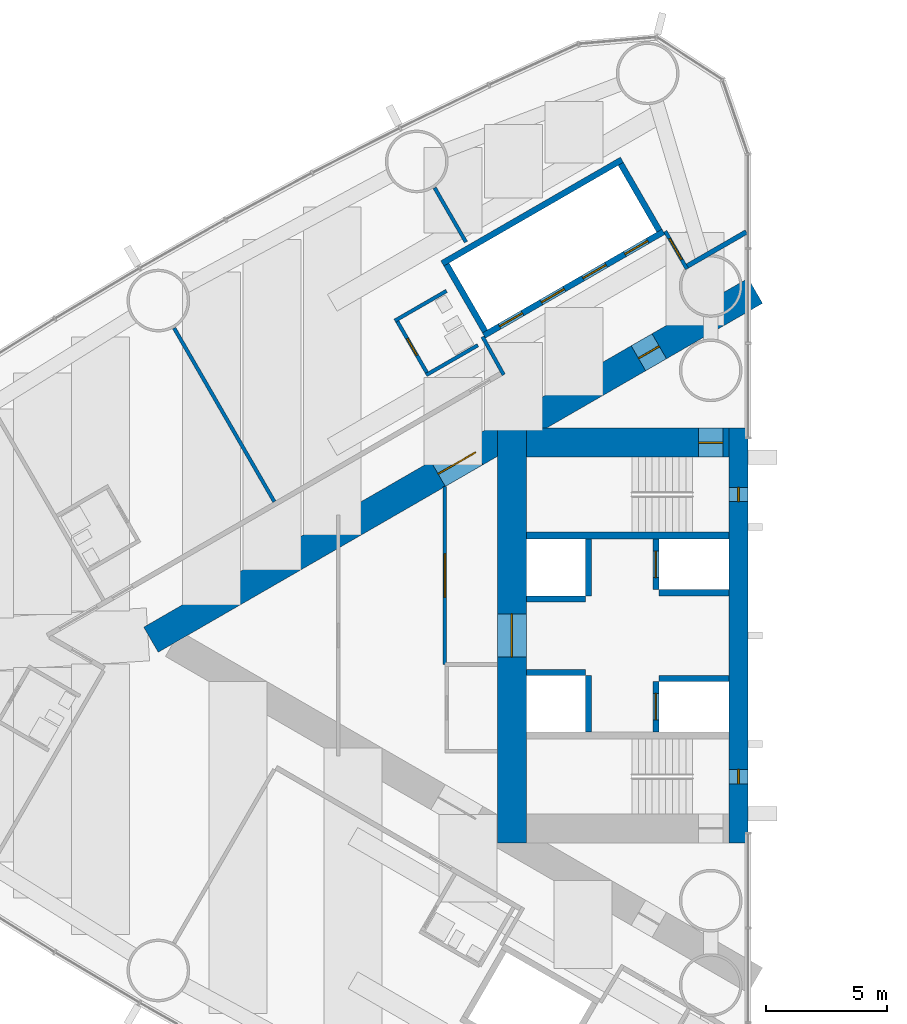
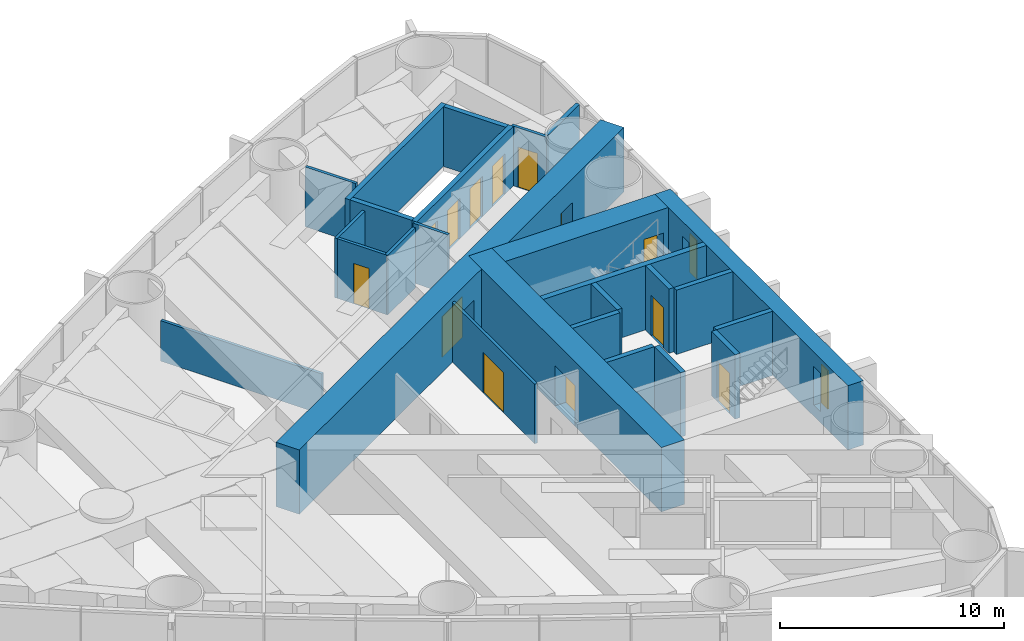
# One storey, part 12 of 18: 26 walls, 13 doors, 2 windows, 15 openings.
"""IFC4 building model written with IfcOpenShell, lengths in metres."""

from ifc_helpers import new_model, si_unit, direction, frame, frame_2d, origin, place, context, subcontext, project, spatial, rectangle, extrude, material, layer, layer_set, type_object, element, fill, save


model = new_model("IFC4")

# Units and contexts
model_context = context("Model", 3, precision=1e-05, world=origin(), true_north=direction((0.0, 1.0)))
body_context = subcontext(model_context, "Body", "Model", "MODEL_VIEW")
ifc_project = project(units=[si_unit("LENGTHUNIT", "METRE"), si_unit("AREAUNIT", "SQUARE_METRE"), si_unit("VOLUMEUNIT", "CUBIC_METRE"), si_unit("PLANEANGLEUNIT", "RADIAN"), si_unit("MASSUNIT", "GRAM", prefix="KILO")], contexts=[model_context])

# Site, building, storey
site_placement = place(None, origin())
site = spatial("IfcSite", under=ifc_project, at=site_placement, CompositionType="ELEMENT")
building_placement = place(site_placement, origin())
building = spatial("IfcBuilding", under=site, at=building_placement, Name="Lancet Gate Hotel", CompositionType="ELEMENT")
storey_placement = place(building_placement, frame((0.0, 0.0, 139.60009765625)))
storey = spatial("IfcBuildingStorey", under=building, at=storey_placement, Name="L37", CompositionType="ELEMENT", Elevation=139.60009765625)

# Wall
ifc_material_1 = material(Name="Moisture resistant board partition")
ifc_layer_1 = layer(ifc_material_1, 0.14990234375)
ifc_layer_set_1 = layer_set([ifc_layer_1], Name="Bathroom wall 150")
wall_type_1 = type_object("IfcWallType", Name="Bathroom wall 150", PredefinedType="PARTITIONING", material=ifc_layer_set_1)
wall_1_placement = place(storey_placement, frame((-40.009765625, 14.294189453125, 0.0), z_axis=(0.0, 0.0, 1.0), x_axis=(-0.866031185235, -0.4999899861, 0.0)))
element("IfcWall", 1, at=wall_1_placement, inside=storey, type_object=wall_type_1, Name="T1 bathroom wall 150 L37", PredefinedType="PARTITIONING", context=body_context, shape_type="SweptSolid", body=[
    extrude(rectangle(XDim=2.47509765625, YDim=0.14990234375, at=frame_2d((1.237548828125, 0.0))), origin(), (0.0, 0.0, 1.0), 3.25),
])

# Wall, opening, door
wall_2_placement = place(storey_placement, frame((-40.788330078125, 10.842529296875, 0.0), z_axis=(0.0, 0.0, 1.0), x_axis=(-0.500006934395, 0.866021400173, 0.0)))
wall_2 = element("IfcWall", 2, at=wall_2_placement, inside=storey, type_object=wall_type_1, Name="T1 bathroom wall 150 L37", PredefinedType="PARTITIONING", context=body_context, shape_type="SweptSolid", body=[
    extrude(rectangle(XDim=2.60009765625, YDim=0.14990234375, at=frame_2d((1.300048828125, 0.0))), origin(), (0.0, 0.0, 1.0), 3.25),
])
opening_1_placement = place(wall_2_placement, frame((0.89990234375, 0.0, 0.0)))
opening_1 = element("IfcOpeningElement", 3, at=opening_1_placement, cuts=wall_2, Name="Opening 3702-B", PredefinedType="OPENING", context=body_context, shape_type="SweptSolid", body=[
    extrude(rectangle(XDim=0.800048828125, YDim=2.199951171875, at=frame_2d((0.39990234375, 1.10009765625))), frame((0.0, 0.0849609375, 0.0), z_axis=(0.0, -1.0, 0.0), x_axis=(1.0, 0.0, 0.0)), (0.0, 0.0, 1.0), 0.169921875),
])
ifc_material_2 = material(Name="Timber door set", Category="wood")
door_type_1 = type_object("IfcDoorType", Name="Bathroom door 800", OperationType="SINGLE_SWING_RIGHT", PredefinedType="DOOR", material=ifc_material_2)
door_1_placement = place(opening_1_placement, origin())
door_1 = element("IfcDoor", 4, at=door_1_placement, inside=storey, type_object=door_type_1, Name="3702-B", OperationType="SINGLE_SWING_RIGHT", OverallHeight=2.199951171875, OverallWidth=0.800048828125, PredefinedType="DOOR", context=body_context, shape_type="SweptSolid", body=[
    extrude(rectangle(XDim=0.800048828125, YDim=2.199951171875, at=frame_2d((0.39990234375, 1.10009765625))), frame((0.0, 0.02490234375, 0.0), z_axis=(0.0, -1.0, 0.0), x_axis=(1.0, 0.0, 0.0)), (0.0, 0.0, 1.0), 0.050048828125),
])
fill(opening_1, door_1)

# Wall
wall_3_placement = place(storey_placement, frame((-38.7099609375, 12.04248046875, 0.0), z_axis=(0.0, 0.0, 1.0), x_axis=(-0.86604923931, -0.499958713387, 0.0)))
element("IfcWall", 5, at=wall_3_placement, inside=storey, type_object=wall_type_1, Name="T1 bathroom wall 150 L37", PredefinedType="PARTITIONING", context=body_context, shape_type="SweptSolid", body=[
    extrude(rectangle(XDim=2.474853515625, YDim=0.14990234375, at=frame_2d((1.2373046875, 0.0))), origin(), (0.0, 0.0, 1.0), 3.25),
])

# Wall, openings, doors
ifc_material_3 = material(Name="Concrete C70/85", Category="concrete")
ifc_layer_2 = layer(ifc_material_3, 1.199951171875)
ifc_layer_set_2 = layer_set([ifc_layer_2], Name="Buttress wall 1200")
wall_type_2 = type_object("IfcWallType", Name="Buttress wall 1200", PredefinedType="SHEAR", material=ifc_layer_set_2)
wall_4_placement = place(storey_placement, frame((-27.199951171875, 14.300048828125, 0.0), z_axis=(0.0, 0.0, 1.0), x_axis=(-0.866026593062, -0.499997940104, 0.0)))
wall_4 = element("IfcWall", 6, at=wall_4_placement, inside=storey, type_object=wall_type_2, Name="T1 buttress wall S L37", PredefinedType="SHEAR", context=body_context, shape_type="SweptSolid", body=[
    extrude(rectangle(XDim=28.9462890625, YDim=1.199951171875, at=frame_2d((14.47314453125, 0.0))), origin(), (0.0, 0.0, 1.0), 3.5),
])
opening_2_placement = place(wall_4_placement, frame((4.60009765625, 0.0, 0.0)))
opening_2 = element("IfcOpeningElement", 7, at=opening_2_placement, cuts=wall_4, Name="Opening T1-L37-LS", PredefinedType="OPENING", context=body_context, shape_type="SweptSolid", body=[
    extrude(rectangle(XDim=1.0, YDim=2.199951171875, at=frame_2d((0.5, 1.10009765625))), frame((0.0, 0.60986328125, 0.0), z_axis=(0.0, -1.0, 0.0), x_axis=(1.0, 0.0, 0.0)), (0.0, 0.0, 1.0), 1.219970703125),
])
opening_3_placement = place(wall_4_placement, frame((13.39453125, 0.0, 0.0)))
opening_3 = element("IfcOpeningElement", 8, at=opening_3_placement, cuts=wall_4, Name="Opening T1-L37-LHS", PredefinedType="OPENING", context=body_context, shape_type="SweptSolid", body=[
    extrude(rectangle(XDim=1.800048828125, YDim=2.199951171875, at=frame_2d((0.89990234375, 1.10009765625))), frame((0.0, 0.60986328125, 0.0), z_axis=(0.0, -1.0, 0.0), x_axis=(1.0, 0.0, 0.0)), (0.0, 0.0, 1.0), 1.219970703125),
])
ifc_material_4 = material(Name="Timber door set", Category="wood")
door_type_2 = type_object("IfcDoorType", Name="Lobby double door 1800", OperationType="DOUBLE_DOOR_SINGLE_SWING", PredefinedType="DOOR", material=ifc_material_4)
door_2_placement = place(opening_3_placement, origin())
door_2 = element("IfcDoor", 9, at=door_2_placement, inside=storey, type_object=door_type_2, Name="T1-L37-LHS", OperationType="DOUBLE_DOOR_SINGLE_SWING", OverallHeight=2.199951171875, OverallWidth=1.800048828125, PredefinedType="DOOR", context=body_context, shape_type="SweptSolid", body=[
    extrude(rectangle(XDim=1.800048828125, YDim=2.199951171875, at=frame_2d((0.89990234375, 1.10009765625))), frame((0.0, 0.02490234375, 0.0), z_axis=(0.0, -1.0, 0.0), x_axis=(1.0, 0.0, 0.0)), (0.0, 0.0, 1.0), 0.050048828125),
])
fill(opening_3, door_2)
ifc_material_5 = material(Name="Timber door set", Category="wood")
door_type_3 = type_object("IfcDoorType", Name="Stair lobby door 1000", OperationType="SINGLE_SWING_LEFT", PredefinedType="DOOR", material=ifc_material_5)
door_3_placement = place(opening_2_placement, origin())
door_3 = element("IfcDoor", 10, at=door_3_placement, inside=storey, type_object=door_type_3, Name="T1-L37-LS", OperationType="SINGLE_SWING_LEFT", OverallHeight=2.199951171875, OverallWidth=1.0, PredefinedType="DOOR", context=body_context, shape_type="SweptSolid", body=[
    extrude(rectangle(XDim=1.0, YDim=2.199951171875, at=frame_2d((0.5, 1.10009765625))), frame((0.0, 0.02490234375, 0.0), z_axis=(0.0, -1.0, 0.0), x_axis=(1.0, 0.0, 0.0)), (0.0, 0.0, 1.0), 0.050048828125),
])
fill(opening_2, door_3)

# Wall, opening, door
ifc_material_6 = material(Name="Concrete C70/85", Category="concrete")
ifc_layer_3 = layer(ifc_material_6, 1.199951171875)
ifc_layer_set_3 = layer_set([ifc_layer_3], Name="Core wall 1200")
wall_type_3 = type_object("IfcWallType", Name="Core wall 1200", PredefinedType="SHEAR", material=ifc_layer_set_3)
wall_5_placement = place(storey_placement, frame((-37.300048828125, 8.60009765625, 0.0), z_axis=(0.0, 0.0, 1.0), x_axis=(0.0, -1.0, 0.0)))
wall_5 = element("IfcWall", 11, at=wall_5_placement, inside=storey, type_object=wall_type_3, Name="T1 core wall back L37", PredefinedType="SHEAR", context=body_context, shape_type="SweptSolid", body=[
    extrude(rectangle(XDim=17.2001953125, YDim=1.199951171875, at=frame_2d((8.60009765625, 0.0))), origin(), (0.0, 0.0, 1.0), 3.5),
])
opening_4_placement = place(wall_5_placement, frame((7.699951171875, 0.0, 0.0)))
opening_4 = element("IfcOpeningElement", 12, at=opening_4_placement, cuts=wall_5, Name="Opening T1-L37-LL", PredefinedType="OPENING", context=body_context, shape_type="SweptSolid", body=[
    extrude(rectangle(XDim=1.800048828125, YDim=2.199951171875, at=frame_2d((0.89990234375, 1.10009765625))), frame((0.0, 0.60986328125, 0.0), z_axis=(0.0, -1.0, 0.0), x_axis=(1.0, 0.0, 0.0)), (0.0, 0.0, 1.0), 1.219970703125),
])
door_4_placement = place(opening_4_placement, origin())
door_4 = element("IfcDoor", 13, at=door_4_placement, inside=storey, type_object=door_type_2, Name="T1-L37-LL", OperationType="DOUBLE_DOOR_SINGLE_SWING", OverallHeight=2.199951171875, OverallWidth=1.800048828125, PredefinedType="DOOR", context=body_context, shape_type="SweptSolid", body=[
    extrude(rectangle(XDim=1.800048828125, YDim=2.199951171875, at=frame_2d((0.89990234375, 1.10009765625))), frame((0.0, 0.02490234375, 0.0), z_axis=(0.0, -1.0, 0.0), x_axis=(1.0, 0.0, 0.0)), (0.0, 0.0, 1.0), 0.050048828125),
])
fill(opening_4, door_4)

wall_6_placement = place(storey_placement, frame((-28.300048828125, 8.0, 0.0), z_axis=(0.0, 0.0, 1.0), x_axis=(-1.0, 0.0, 0.0)))
wall_6 = element("IfcWall", 14, at=wall_6_placement, inside=storey, type_object=wall_type_3, Name="T1 core wall side-S L37", PredefinedType="SHEAR", context=body_context, shape_type="SweptSolid", body=[
    extrude(rectangle(XDim=8.39990234375, YDim=1.199951171875, at=frame_2d((4.199951171875, 0.0))), origin(), (0.0, 0.0, 1.0), 3.5),
])
opening_5_placement = place(wall_6_placement, frame((0.25, 0.0, 0.0)))
opening_5 = element("IfcOpeningElement", 15, at=opening_5_placement, cuts=wall_6, Name="Opening T1-L37-ST1", PredefinedType="OPENING", context=body_context, shape_type="SweptSolid", body=[
    extrude(rectangle(XDim=1.0, YDim=2.199951171875, at=frame_2d((0.5, 1.10009765625))), frame((0.0, 0.60986328125, 0.0), z_axis=(0.0, -1.0, 0.0), x_axis=(1.0, 0.0, 0.0)), (0.0, 0.0, 1.0), 1.219970703125),
])
ifc_material_7 = material(Name="Timber door set", Category="wood")
door_type_4 = type_object("IfcDoorType", Name="Stair door 1000", OperationType="SINGLE_SWING_RIGHT", PredefinedType="DOOR", material=ifc_material_7)
door_5_placement = place(opening_5_placement, origin())
door_5 = element("IfcDoor", 16, at=door_5_placement, inside=storey, type_object=door_type_4, Name="T1-L37-ST1", OperationType="SINGLE_SWING_RIGHT", OverallHeight=2.199951171875, OverallWidth=1.0, PredefinedType="DOOR", context=body_context, shape_type="SweptSolid", body=[
    extrude(rectangle(XDim=1.0, YDim=2.199951171875, at=frame_2d((0.5, 1.10009765625))), frame((0.0, 0.02490234375, 0.0), z_axis=(0.0, -1.0, 0.0), x_axis=(1.0, 0.0, 0.0)), (0.0, 0.0, 1.0), 0.050048828125),
])
fill(opening_5, door_5)

# Wall, openings, windows
ifc_material_8 = material(Name="Concrete C70/85", Category="concrete")
ifc_layer_4 = layer(ifc_material_8, 0.800048828125)
ifc_layer_set_4 = layer_set([ifc_layer_4], Name="Core wall 800")
wall_type_4 = type_object("IfcWallType", Name="Core wall 800", PredefinedType="SHEAR", material=ifc_layer_set_4)
wall_7_placement = place(storey_placement, frame((-27.89990234375, 8.60009765625, 0.0), z_axis=(0.0, 0.0, 1.0), x_axis=(0.0, -1.0, 0.0)))
wall_7 = element("IfcWall", 17, at=wall_7_placement, inside=storey, type_object=wall_type_4, Name="T1 core wall front L37", PredefinedType="SHEAR", context=body_context, shape_type="SweptSolid", body=[
    extrude(rectangle(XDim=17.2001953125, YDim=0.800048828125, at=frame_2d((8.60009765625, 0.0))), origin(), (0.0, 0.0, 1.0), 3.5),
])
opening_6_placement = place(wall_7_placement, frame((2.449951171875, 0.0, 0.60009765625)))
opening_6 = element("IfcOpeningElement", 18, at=opening_6_placement, cuts=wall_7, Name="Opening LW1", PredefinedType="OPENING", context=body_context, shape_type="SweptSolid", body=[
    extrude(rectangle(XDim=0.60009765625, YDim=2.10009765625, at=frame_2d((0.300048828125, 1.050048828125))), frame((0.0, 0.409912109375, 0.0), z_axis=(0.0, -1.0, 0.0), x_axis=(1.0, 0.0, 0.0)), (0.0, 0.0, 1.0), 0.820068359375),
])
opening_7_placement = place(wall_7_placement, frame((14.14990234375, 0.0, 0.60009765625)))
opening_7 = element("IfcOpeningElement", 19, at=opening_7_placement, cuts=wall_7, Name="Opening LW1", PredefinedType="OPENING", context=body_context, shape_type="SweptSolid", body=[
    extrude(rectangle(XDim=0.60009765625, YDim=2.10009765625, at=frame_2d((0.300048828125, 1.050048828125))), frame((0.0, 0.409912109375, 0.0), z_axis=(0.0, -1.0, 0.0), x_axis=(1.0, 0.0, 0.0)), (0.0, 0.0, 1.0), 0.820068359375),
])
ifc_material_9 = material(Name="Fire-resisting glazed steel window", Category="steel")
window_type = type_object("IfcWindowType", Name="Lancet window 600x2100", PartitioningType="SINGLE_PANEL", PredefinedType="WINDOW", material=ifc_material_9)
window_1_placement = place(opening_6_placement, origin())
window_1 = element("IfcWindow", 20, at=window_1_placement, inside=storey, type_object=window_type, Name="T1 stair window S L37", OverallHeight=2.10009765625, OverallWidth=0.60009765625, PartitioningType="SINGLE_PANEL", PredefinedType="WINDOW", context=body_context, shape_type="SweptSolid", body=[
    extrude(rectangle(XDim=0.60009765625, YDim=2.10009765625, at=frame_2d((0.300048828125, 1.050048828125))), frame((0.0, 0.030029296875, 0.0), z_axis=(0.0, -1.0, 0.0), x_axis=(1.0, 0.0, 0.0)), (0.0, 0.0, 1.0), 0.06005859375),
])
fill(opening_6, window_1)
window_2_placement = place(opening_7_placement, origin())
window_2 = element("IfcWindow", 21, at=window_2_placement, inside=storey, type_object=window_type, Name="T1 stair window N L37", OverallHeight=2.10009765625, OverallWidth=0.60009765625, PartitioningType="SINGLE_PANEL", PredefinedType="WINDOW", context=body_context, shape_type="SweptSolid", body=[
    extrude(rectangle(XDim=0.60009765625, YDim=2.10009765625, at=frame_2d((0.300048828125, 1.050048828125))), frame((0.0, 0.030029296875, 0.0), z_axis=(0.0, -1.0, 0.0), x_axis=(1.0, 0.0, 0.0)), (0.0, 0.0, 1.0), 0.06005859375),
])
fill(opening_7, window_2)

# Wall
ifc_material_10 = material(Name="Gypsum board partition")
ifc_layer_5 = layer(ifc_material_10, 0.199951171875)
ifc_layer_set_5 = layer_set([ifc_layer_5], Name="Corridor wall 200")
wall_type_5 = type_object("IfcWallType", Name="Corridor wall 200", PredefinedType="PARTITIONING", material=ifc_layer_set_5)
wall_8_placement = place(storey_placement, frame((-27.572021484375, 16.740966796875, 0.0), z_axis=(0.0, 0.0, 1.0), x_axis=(-0.866034618596, -0.499984039138, 0.0)))
element("IfcWall", 22, at=wall_8_placement, inside=storey, type_object=wall_type_5, Name="T1 corridor wall 200 L37", PredefinedType="PARTITIONING", context=body_context, shape_type="SweptSolid", body=[
    extrude(rectangle(XDim=2.8544921875, YDim=0.199951171875, at=frame_2d((1.42724609375, 0.0))), origin(), (0.0, 0.0, 1.0), 3.25),
])

# Wall, openings, doors
ifc_material_11 = material(Name="Gypsum board partition")
ifc_layer_6 = layer(ifc_material_11, 0.25)
ifc_layer_set_6 = layer_set([ifc_layer_6], Name="Lift shaft partition 250")
wall_type_6 = type_object("IfcWallType", Name="Lift shaft partition 250", PredefinedType="PARTITIONING", material=ifc_layer_set_6)
wall_9_placement = place(storey_placement, frame((-31.010498046875, 16.747314453125, 0.0), z_axis=(0.0, 0.0, 1.0), x_axis=(-0.866028165386, -0.499995216735, 0.0)))
wall_9 = element("IfcWall", 23, at=wall_9_placement, inside=storey, type_object=wall_type_6, Name="T1 lift shaft wall LR L37", PredefinedType="PARTITIONING", context=body_context, shape_type="SweptSolid", body=[
    extrude(rectangle(XDim=8.60009765625, YDim=0.25, at=frame_2d((4.300048828125, 0.0))), origin(), (0.0, 0.0, 1.0), 3.25),
])
opening_8_placement = place(wall_9_placement, frame((0.75, 0.0, 0.0)))
opening_8 = element("IfcOpeningElement", 24, at=opening_8_placement, cuts=wall_9, Name="Opening T1-LR1-L37", PredefinedType="OPENING", context=body_context, shape_type="SweptSolid", body=[
    extrude(rectangle(XDim=1.10009765625, YDim=2.199951171875, at=frame_2d((0.550048828125, 1.10009765625))), frame((0.0, 0.135009765625, 0.0), z_axis=(0.0, -1.0, 0.0), x_axis=(1.0, 0.0, 0.0)), (0.0, 0.0, 1.0), 0.27001953125),
])
opening_9_placement = place(wall_9_placement, frame((2.75, 0.0, 0.0)))
opening_9 = element("IfcOpeningElement", 25, at=opening_9_placement, cuts=wall_9, Name="Opening T1-LR2-L37", PredefinedType="OPENING", context=body_context, shape_type="SweptSolid", body=[
    extrude(rectangle(XDim=1.10009765625, YDim=2.199951171875, at=frame_2d((0.550048828125, 1.10009765625))), frame((0.0, 0.135009765625, 0.0), z_axis=(0.0, -1.0, 0.0), x_axis=(1.0, 0.0, 0.0)), (0.0, 0.0, 1.0), 0.27001953125),
])
opening_10_placement = place(wall_9_placement, frame((4.75, 0.0, 0.0)))
opening_10 = element("IfcOpeningElement", 26, at=opening_10_placement, cuts=wall_9, Name="Opening T1-LR3-L37", PredefinedType="OPENING", context=body_context, shape_type="SweptSolid", body=[
    extrude(rectangle(XDim=1.10009765625, YDim=2.199951171875, at=frame_2d((0.550048828125, 1.10009765625))), frame((0.0, 0.135009765625, 0.0), z_axis=(0.0, -1.0, 0.0), x_axis=(1.0, 0.0, 0.0)), (0.0, 0.0, 1.0), 0.27001953125),
])
opening_11_placement = place(wall_9_placement, frame((6.75, 0.0, 0.0)))
opening_11 = element("IfcOpeningElement", 27, at=opening_11_placement, cuts=wall_9, Name="Opening T1-LR4-L37", PredefinedType="OPENING", context=body_context, shape_type="SweptSolid", body=[
    extrude(rectangle(XDim=1.10009765625, YDim=2.199951171875, at=frame_2d((0.550048828125, 1.10009765625))), frame((0.0, 0.135009765625, 0.0), z_axis=(0.0, -1.0, 0.0), x_axis=(1.0, 0.0, 0.0)), (0.0, 0.0, 1.0), 0.27001953125),
])
ifc_material_12 = material(Name="Steel door set", Category="steel")
door_type_5 = type_object("IfcDoorType", Name="Lift landing door 1100", OperationType="DOUBLE_DOOR_SLIDING", PredefinedType="USERDEFINED", material=ifc_material_12)
door_6_placement = place(opening_8_placement, origin())
door_6 = element("IfcDoor", 28, at=door_6_placement, inside=storey, type_object=door_type_5, Name="T1-LR1-L37", ObjectType="LIFT LANDING DOOR", OperationType="DOUBLE_DOOR_SLIDING", OverallHeight=2.199951171875, OverallWidth=1.10009765625, PredefinedType="USERDEFINED", context=body_context, shape_type="SweptSolid", body=[
    extrude(rectangle(XDim=1.10009765625, YDim=2.199951171875, at=frame_2d((0.550048828125, 1.10009765625))), frame((0.0, 0.02490234375, 0.0), z_axis=(0.0, -1.0, 0.0), x_axis=(1.0, 0.0, 0.0)), (0.0, 0.0, 1.0), 0.050048828125),
])
fill(opening_8, door_6)
door_7_placement = place(opening_9_placement, origin())
door_7 = element("IfcDoor", 29, at=door_7_placement, inside=storey, type_object=door_type_5, Name="T1-LR2-L37", ObjectType="LIFT LANDING DOOR", OperationType="DOUBLE_DOOR_SLIDING", OverallHeight=2.199951171875, OverallWidth=1.10009765625, PredefinedType="USERDEFINED", context=body_context, shape_type="SweptSolid", body=[
    extrude(rectangle(XDim=1.10009765625, YDim=2.199951171875, at=frame_2d((0.550048828125, 1.10009765625))), frame((0.0, 0.02490234375, 0.0), z_axis=(0.0, -1.0, 0.0), x_axis=(1.0, 0.0, 0.0)), (0.0, 0.0, 1.0), 0.050048828125),
])
fill(opening_9, door_7)
door_8_placement = place(opening_10_placement, origin())
door_8 = element("IfcDoor", 30, at=door_8_placement, inside=storey, type_object=door_type_5, Name="T1-LR3-L37", ObjectType="LIFT LANDING DOOR", OperationType="DOUBLE_DOOR_SLIDING", OverallHeight=2.199951171875, OverallWidth=1.10009765625, PredefinedType="USERDEFINED", context=body_context, shape_type="SweptSolid", body=[
    extrude(rectangle(XDim=1.10009765625, YDim=2.199951171875, at=frame_2d((0.550048828125, 1.10009765625))), frame((0.0, 0.02490234375, 0.0), z_axis=(0.0, -1.0, 0.0), x_axis=(1.0, 0.0, 0.0)), (0.0, 0.0, 1.0), 0.050048828125),
])
fill(opening_10, door_8)
door_9_placement = place(opening_11_placement, origin())
door_9 = element("IfcDoor", 31, at=door_9_placement, inside=storey, type_object=door_type_5, Name="T1-LR4-L37", ObjectType="LIFT LANDING DOOR", OperationType="DOUBLE_DOOR_SLIDING", OverallHeight=2.199951171875, OverallWidth=1.10009765625, PredefinedType="USERDEFINED", context=body_context, shape_type="SweptSolid", body=[
    extrude(rectangle(XDim=1.10009765625, YDim=2.199951171875, at=frame_2d((0.550048828125, 1.10009765625))), frame((0.0, 0.02490234375, 0.0), z_axis=(0.0, -1.0, 0.0), x_axis=(1.0, 0.0, 0.0)), (0.0, 0.0, 1.0), 0.050048828125),
])
fill(opening_11, door_9)

# Walls
wall_10_placement = place(storey_placement, frame((-32.735595703125, 19.73583984375, 0.0), z_axis=(0.0, 0.0, 1.0), x_axis=(-0.866028165386, -0.499995216735, 0.0)))
element("IfcWall", 32, at=wall_10_placement, inside=storey, type_object=wall_type_6, Name="T1 lift shaft wall LR L37", PredefinedType="PARTITIONING", context=body_context, shape_type="SweptSolid", body=[
    extrude(rectangle(XDim=8.60009765625, YDim=0.25, at=frame_2d((4.300048828125, 0.0))), origin(), (0.0, 0.0, 1.0), 3.25),
])
wall_11_placement = place(storey_placement, frame((-31.18115234375, 16.79296875, 0.0), z_axis=(0.0, 0.0, 1.0), x_axis=(-0.499929347863, 0.866066190972, 0.0)))
element("IfcWall", 33, at=wall_11_placement, inside=storey, type_object=wall_type_6, Name="T1 lift shaft wall LR L37", PredefinedType="PARTITIONING", context=body_context, shape_type="SweptSolid", body=[
    extrude(rectangle(XDim=3.20068359375, YDim=0.25, at=frame_2d((1.600341796875, 0.0))), origin(), (0.0, 0.0, 1.0), 3.25),
])
wall_12_placement = place(storey_placement, frame((-38.412841796875, 12.617919921875, 0.0), z_axis=(0.0, 0.0, 1.0), x_axis=(-0.499872130319, 0.866099216793, 0.0)))
element("IfcWall", 34, at=wall_12_placement, inside=storey, type_object=wall_type_6, Name="T1 lift shaft wall LR L37", PredefinedType="PARTITIONING", context=body_context, shape_type="SweptSolid", body=[
    extrude(rectangle(XDim=3.200439453125, YDim=0.25, at=frame_2d((1.60009765625, 0.0))), origin(), (0.0, 0.0, 1.0), 3.25),
])

# Wall, opening, door
ifc_material_13 = material(Name="Concrete C50/60", Category="concrete")
ifc_layer_7 = layer(ifc_material_13, 0.25)
ifc_layer_set_7 = layer_set([ifc_layer_7], Name="Lift shaft wall 250")
wall_type_7 = type_object("IfcWallType", Name="Lift shaft wall 250", PredefinedType="SHEAR", material=ifc_layer_set_7)
wall_13_placement = place(storey_placement, frame((-31.324951171875, 4.0, 0.0), z_axis=(0.0, 0.0, 1.0), x_axis=(0.0, -1.0, 0.0)))
wall_13 = element("IfcWall", 35, at=wall_13_placement, inside=storey, type_object=wall_type_7, Name="T1 core wall row1-S L37", PredefinedType="SHEAR", context=body_context, shape_type="SweptSolid", body=[
    extrude(rectangle(XDim=2.10009765625, YDim=0.25, at=frame_2d((1.050048828125, 0.0))), origin(), (0.0, 0.0, 1.0), 3.5),
])
opening_12_placement = place(wall_13_placement, frame((0.5, 0.0, 0.0)))
opening_12 = element("IfcOpeningElement", 36, at=opening_12_placement, cuts=wall_13, Name="Opening T1-SL1-L37", PredefinedType="OPENING", context=body_context, shape_type="SweptSolid", body=[
    extrude(rectangle(XDim=1.10009765625, YDim=2.199951171875, at=frame_2d((0.550048828125, 1.10009765625))), frame((0.0, 0.135009765625, 0.0), z_axis=(0.0, -1.0, 0.0), x_axis=(1.0, 0.0, 0.0)), (0.0, 0.0, 1.0), 0.27001953125),
])
ifc_material_14 = material(Name="Timber door set", Category="wood")
door_type_6 = type_object("IfcDoorType", Name="Service lift landing door 1100", OperationType="SLIDING_TO_LEFT", PredefinedType="USERDEFINED", material=ifc_material_14)
door_10_placement = place(opening_12_placement, origin())
door_10 = element("IfcDoor", 37, at=door_10_placement, inside=storey, type_object=door_type_6, Name="T1-SL1-L37", ObjectType="LIFT LANDING DOOR", OperationType="SLIDING_TO_LEFT", OverallHeight=2.199951171875, OverallWidth=1.10009765625, PredefinedType="USERDEFINED", context=body_context, shape_type="SweptSolid", body=[
    extrude(rectangle(XDim=1.10009765625, YDim=2.199951171875, at=frame_2d((0.550048828125, 1.10009765625))), frame((0.0, 0.02490234375, 0.0), z_axis=(0.0, -1.0, 0.0), x_axis=(1.0, 0.0, 0.0)), (0.0, 0.0, 1.0), 0.050048828125),
])
fill(opening_12, door_10)

# Walls
wall_14_placement = place(storey_placement, frame((-34.125, 4.0, 0.0), z_axis=(0.0, 0.0, 1.0), x_axis=(0.0, -1.0, 0.0)))
element("IfcWall", 38, at=wall_14_placement, inside=storey, type_object=wall_type_7, Name="T1 core wall row2-S L37", PredefinedType="SHEAR", context=body_context, shape_type="SweptSolid", body=[
    extrude(rectangle(XDim=2.35009765625, YDim=0.25, at=frame_2d((1.175048828125, 0.0))), origin(), (0.0, 0.0, 1.0), 3.5),
])
wall_15_placement = place(storey_placement, frame((-28.300048828125, 1.77490234375, 0.0), z_axis=(0.0, 0.0, 1.0), x_axis=(-1.0, 0.0, 0.0)))
element("IfcWall", 39, at=wall_15_placement, inside=storey, type_object=wall_type_7, Name="T1 core wall pass1-S L37", PredefinedType="SHEAR", context=body_context, shape_type="SweptSolid", body=[
    extrude(rectangle(XDim=2.89990234375, YDim=0.25, at=frame_2d((1.449951171875, 0.0))), origin(), (0.0, 0.0, 1.0), 3.5),
])
wall_16_placement = place(storey_placement, frame((-34.25, 1.52490234375, 0.0), z_axis=(0.0, 0.0, 1.0), x_axis=(-1.0, 0.0, 0.0)))
element("IfcWall", 40, at=wall_16_placement, inside=storey, type_object=wall_type_7, Name="T1 core wall pass2-S L37", PredefinedType="SHEAR", context=body_context, shape_type="SweptSolid", body=[
    extrude(rectangle(XDim=2.449951171875, YDim=0.25, at=frame_2d((1.22509765625, 0.0))), origin(), (0.0, 0.0, 1.0), 3.5),
])

# Wall, opening, door
wall_17_placement = place(storey_placement, frame((-31.324951171875, -1.89990234375, 0.0), z_axis=(0.0, 0.0, 1.0), x_axis=(0.0, -1.0, 0.0)))
wall_17 = element("IfcWall", 41, at=wall_17_placement, inside=storey, type_object=wall_type_7, Name="T1 core wall row1-N L37", PredefinedType="SHEAR", context=body_context, shape_type="SweptSolid", body=[
    extrude(rectangle(XDim=2.10009765625, YDim=0.25, at=frame_2d((1.050048828125, 0.0))), origin(), (0.0, 0.0, 1.0), 3.5),
])
opening_13_placement = place(wall_17_placement, frame((0.5, 0.0, 0.0)))
opening_13 = element("IfcOpeningElement", 42, at=opening_13_placement, cuts=wall_17, Name="Opening T1-FL2-L37", PredefinedType="OPENING", context=body_context, shape_type="SweptSolid", body=[
    extrude(rectangle(XDim=1.10009765625, YDim=2.199951171875, at=frame_2d((0.550048828125, 1.10009765625))), frame((0.0, 0.135009765625, 0.0), z_axis=(0.0, -1.0, 0.0), x_axis=(1.0, 0.0, 0.0)), (0.0, 0.0, 1.0), 0.27001953125),
])
ifc_material_15 = material(Name="Steel door set", Category="steel")
door_type_7 = type_object("IfcDoorType", Name="Firefighting lift landing door 1100", OperationType="SLIDING_TO_LEFT", PredefinedType="USERDEFINED", material=ifc_material_15)
door_11_placement = place(opening_13_placement, origin())
door_11 = element("IfcDoor", 43, at=door_11_placement, inside=storey, type_object=door_type_7, Name="T1-FL2-L37", ObjectType="LIFT LANDING DOOR", OperationType="SLIDING_TO_LEFT", OverallHeight=2.199951171875, OverallWidth=1.10009765625, PredefinedType="USERDEFINED", context=body_context, shape_type="SweptSolid", body=[
    extrude(rectangle(XDim=1.10009765625, YDim=2.199951171875, at=frame_2d((0.550048828125, 1.10009765625))), frame((0.0, 0.02490234375, 0.0), z_axis=(0.0, -1.0, 0.0), x_axis=(1.0, 0.0, 0.0)), (0.0, 0.0, 1.0), 0.050048828125),
])
fill(opening_13, door_11)

# Walls
wall_18_placement = place(storey_placement, frame((-34.125, -1.64990234375, 0.0), z_axis=(0.0, 0.0, 1.0), x_axis=(0.0, -1.0, 0.0)))
element("IfcWall", 44, at=wall_18_placement, inside=storey, type_object=wall_type_7, Name="T1 core wall row2-N L37", PredefinedType="SHEAR", context=body_context, shape_type="SweptSolid", body=[
    extrude(rectangle(XDim=2.35009765625, YDim=0.25, at=frame_2d((1.175048828125, 0.0))), origin(), (0.0, 0.0, 1.0), 3.5),
])
wall_19_placement = place(storey_placement, frame((-28.300048828125, -1.77490234375, 0.0), z_axis=(0.0, 0.0, 1.0), x_axis=(-1.0, 0.0, 0.0)))
element("IfcWall", 45, at=wall_19_placement, inside=storey, type_object=wall_type_7, Name="T1 core wall pass1-N L37", PredefinedType="SHEAR", context=body_context, shape_type="SweptSolid", body=[
    extrude(rectangle(XDim=2.89990234375, YDim=0.25, at=frame_2d((1.449951171875, 0.0))), origin(), (0.0, 0.0, 1.0), 3.5),
])
wall_20_placement = place(storey_placement, frame((-34.25, -1.52490234375, 0.0), z_axis=(0.0, 0.0, 1.0), x_axis=(-1.0, 0.0, 0.0)))
element("IfcWall", 46, at=wall_20_placement, inside=storey, type_object=wall_type_7, Name="T1 core wall pass2-N L37", PredefinedType="SHEAR", context=body_context, shape_type="SweptSolid", body=[
    extrude(rectangle(XDim=2.449951171875, YDim=0.25, at=frame_2d((1.22509765625, 0.0))), origin(), (0.0, 0.0, 1.0), 3.5),
])
ifc_material_16 = material(Name="Gypsum board partition")
ifc_layer_8 = layer(ifc_material_16, 0.14990234375)
ifc_layer_set_8 = layer_set([ifc_layer_8], Name="Party wall 150")
wall_type_8 = type_object("IfcWallType", Name="Party wall 150", PredefinedType="PARTITIONING", material=ifc_layer_set_8)
wall_21_placement = place(storey_placement, frame((-47.151123046875, 5.552490234375, 0.0), z_axis=(0.0, 0.0, 1.0), x_axis=(-0.500003012045, 0.866023664773, 0.0)))
element("IfcWall", 47, at=wall_21_placement, inside=storey, type_object=wall_type_8, Name="T1 party wall 150 L37", PredefinedType="PARTITIONING", context=body_context, shape_type="SweptSolid", body=[
    extrude(rectangle(XDim=8.31103515625, YDim=0.14990234375, at=frame_2d((4.155517578125, 0.0))), origin(), (0.0, 0.0, 1.0), 2.199951171875),
])
wall_22_placement = place(storey_placement, frame((-39.202392578125, 16.31982421875, 0.0), z_axis=(0.0, 0.0, 1.0), x_axis=(-0.499947391036, 0.866055775454, 0.0)))
element("IfcWall", 48, at=wall_22_placement, inside=storey, type_object=wall_type_8, Name="T1 party wall 150 L37", PredefinedType="PARTITIONING", context=body_context, shape_type="SweptSolid", body=[
    extrude(rectangle(XDim=2.599365234375, YDim=0.14990234375, at=frame_2d((1.2998046875, 0.0))), origin(), (0.0, 0.0, 1.0), 3.25),
])
ifc_material_17 = material(Name="Gypsum board partition")
ifc_layer_9 = layer(ifc_material_17, 0.14990234375)
ifc_layer_set_9 = layer_set([ifc_layer_9], Name="Service room wall 150")
wall_type_9 = type_object("IfcWallType", Name="Service room wall 150", PredefinedType="PARTITIONING", material=ifc_layer_set_9)
wall_23_placement = place(storey_placement, frame((-38.513427734375, 12.392333984375, 0.0), z_axis=(0.0, 0.0, 1.0), x_axis=(0.485585508183, -0.874189175317, 0.0)))
element("IfcWall", 49, at=wall_23_placement, inside=storey, type_object=wall_type_9, Name="T1 service room wall 150 L37", PredefinedType="PARTITIONING", context=body_context, shape_type="SweptSolid", body=[
    extrude(rectangle(XDim=1.804931640625, YDim=0.14990234375, at=frame_2d((0.90234375, 0.0))), origin(), (0.0, 0.0, 1.0), 3.25),
])

# Wall, opening, door
wall_24_placement = place(storey_placement, frame((-30.033203125, 15.20458984375, 0.0), z_axis=(0.0, 0.0, 1.0), x_axis=(-0.499980071345, 0.866036909293, 0.0)))
wall_24 = element("IfcWall", 50, at=wall_24_placement, inside=storey, type_object=wall_type_9, Name="T1 service room wall 150 L37", PredefinedType="PARTITIONING", context=body_context, shape_type="SweptSolid", body=[
    extrude(rectangle(XDim=1.8046875, YDim=0.14990234375, at=frame_2d((0.90234375, 0.0))), origin(), (0.0, 0.0, 1.0), 3.25),
])
opening_14_placement = place(wall_24_placement, frame((0.451904296875, 0.0, 0.0)))
opening_14 = element("IfcOpeningElement", 51, at=opening_14_placement, cuts=wall_24, Name="Opening T1-L37-LO1", PredefinedType="OPENING", context=body_context, shape_type="SweptSolid", body=[
    extrude(rectangle(XDim=1.0, YDim=2.199951171875, at=frame_2d((0.5, 1.10009765625))), frame((0.0, 0.0849609375, 0.0), z_axis=(0.0, -1.0, 0.0), x_axis=(1.0, 0.0, 0.0)), (0.0, 0.0, 1.0), 0.169921875),
])
ifc_material_18 = material(Name="Timber door set", Category="wood")
door_type_8 = type_object("IfcDoorType", Name="Service door 1000", OperationType="SINGLE_SWING_LEFT", PredefinedType="DOOR", material=ifc_material_18)
door_12_placement = place(opening_14_placement, origin())
door_12 = element("IfcDoor", 52, at=door_12_placement, inside=storey, type_object=door_type_8, Name="T1-L37-LO1", OperationType="SINGLE_SWING_LEFT", OverallHeight=2.199951171875, OverallWidth=1.0, PredefinedType="DOOR", context=body_context, shape_type="SweptSolid", body=[
    extrude(rectangle(XDim=1.0, YDim=2.199951171875, at=frame_2d((0.5, 1.10009765625))), frame((0.0, 0.02490234375, 0.0), z_axis=(0.0, -1.0, 0.0), x_axis=(1.0, 0.0, 0.0)), (0.0, 0.0, 1.0), 0.050048828125),
])
fill(opening_14, door_12)

wall_25_placement = place(storey_placement, frame((-40.074951171875, 6.173828125, 0.0), z_axis=(0.0, 0.0, 1.0), x_axis=(0.0, -1.0, 0.0)))
wall_25 = element("IfcWall", 53, at=wall_25_placement, inside=storey, type_object=wall_type_9, Name="T1 service room wall 150 L37", PredefinedType="PARTITIONING", context=body_context, shape_type="SweptSolid", body=[
    extrude(rectangle(XDim=7.373779296875, YDim=0.14990234375, at=frame_2d((3.68701171875, 0.0))), origin(), (0.0, 0.0, 1.0), 3.25),
])
opening_15_placement = place(wall_25_placement, frame((2.786865234375, 0.0, 0.0)))
opening_15 = element("IfcOpeningElement", 54, at=opening_15_placement, cuts=wall_25, Name="Opening T1-L37-LH", PredefinedType="OPENING", context=body_context, shape_type="SweptSolid", body=[
    extrude(rectangle(XDim=1.800048828125, YDim=2.199951171875, at=frame_2d((0.89990234375, 1.10009765625))), frame((0.0, 0.0849609375, 0.0), z_axis=(0.0, -1.0, 0.0), x_axis=(1.0, 0.0, 0.0)), (0.0, 0.0, 1.0), 0.169921875),
])
door_13_placement = place(opening_15_placement, origin())
door_13 = element("IfcDoor", 55, at=door_13_placement, inside=storey, type_object=door_type_2, Name="T1-L37-LH", OperationType="DOUBLE_DOOR_SINGLE_SWING", OverallHeight=2.199951171875, OverallWidth=1.800048828125, PredefinedType="DOOR", context=body_context, shape_type="SweptSolid", body=[
    extrude(rectangle(XDim=1.800048828125, YDim=2.199951171875, at=frame_2d((0.89990234375, 1.10009765625))), frame((0.0, 0.02490234375, 0.0), z_axis=(0.0, -1.0, 0.0), x_axis=(1.0, 0.0, 0.0)), (0.0, 0.0, 1.0), 0.050048828125),
])
fill(opening_15, door_13)

# Wall
ifc_material_19 = material(Name="Concrete C50/60", Category="concrete")
ifc_layer_10 = layer(ifc_material_19, 0.300048828125)
ifc_layer_set_10 = layer_set([ifc_layer_10], Name="Stair enclosure wall 300")
wall_type_10 = type_object("IfcWallType", Name="Stair enclosure wall 300", PredefinedType="SHEAR", material=ifc_layer_set_10)
wall_26_placement = place(storey_placement, frame((-28.300048828125, 4.14990234375, 0.0), z_axis=(0.0, 0.0, 1.0), x_axis=(-1.0, 0.0, 0.0)))
element("IfcWall", 56, at=wall_26_placement, inside=storey, type_object=wall_type_10, Name="T1 core wall stair-S L37", PredefinedType="SHEAR", context=body_context, shape_type="SweptSolid", body=[
    extrude(rectangle(XDim=8.39990234375, YDim=0.300048828125, at=frame_2d((4.199951171875, 0.0))), origin(), (0.0, 0.0, 1.0), 3.5),
])

save(model, "model.ifc")
